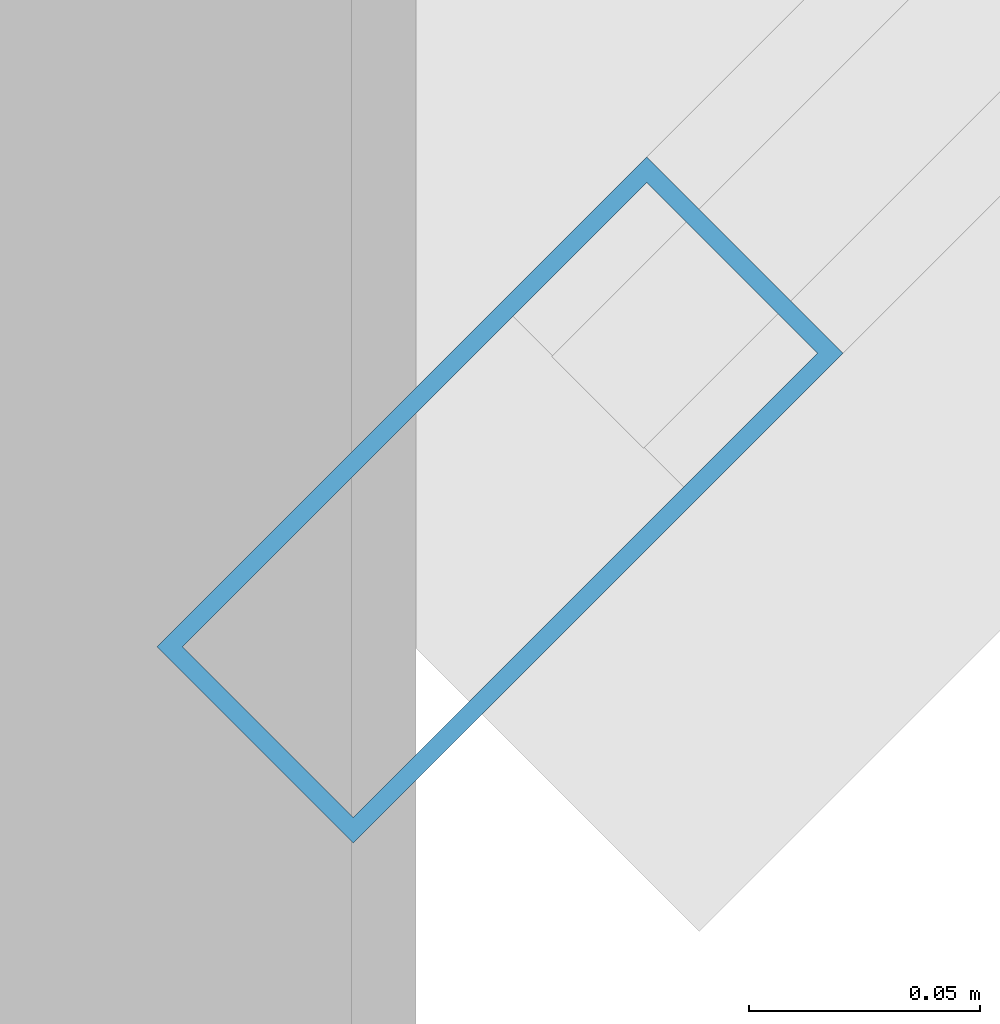
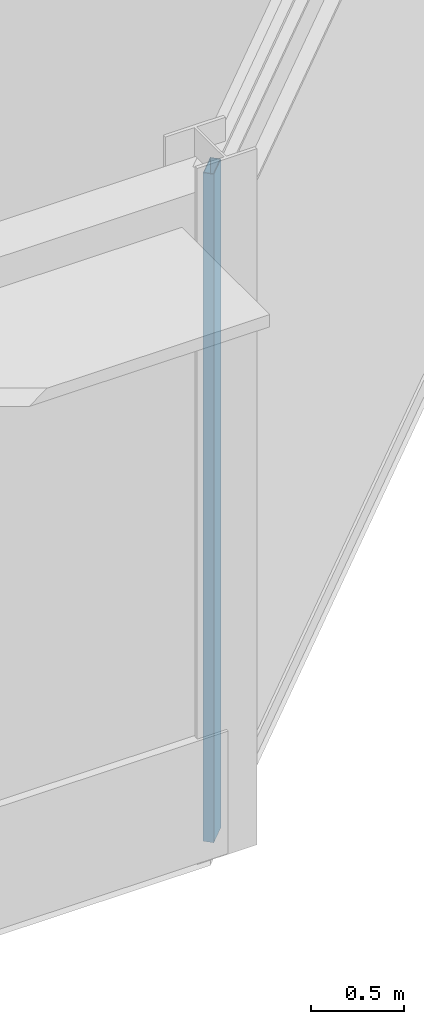
# One storey, part 46 of 133: 1 member, 1 element without a shape of its own.
"""IFC4 building model written with IfcOpenShell, lengths in metres."""

import ifcopenshell
import ifcopenshell.guid

model = None  # the IFC model being written
_history = None  # IfcOwnerHistory: only IFC2X3 demands one
_inside = {}  # id of a spatial element -> (the spatial element, [elements in it])
_under = {}  # id of a project, library or spatial element -> (it, [spatial elements below it])
_declared = {}  # id of a project -> (the project, [libraries it declares])
_typed = {}  # id of a type object -> (the type object, [elements of that type])
_made_of = {}  # id of a material, layer set ... -> (it, [elements and type objects made of it])


def new_model(schema):
    """Start an empty IFC model of exactly this schema.

    Asked for "IFC4X3", IfcOpenShell would pick the latest addendum, in which some entities
    have other attributes; the version numbers below select the first issue.
    IFC2X3 requires an IfcOwnerHistory on every rooted entity: one is made here for all.
    """
    global model, _history
    if schema == "IFC4X3":
        model = ifcopenshell.file(schema_version=(4, 3, 0, 0))
    else:
        model = ifcopenshell.file(schema=schema)
    _inside.clear()
    _under.clear()
    _declared.clear()
    _typed.clear()
    _made_of.clear()
    _history = None
    if model.schema == "IFC2X3":
        org = make("IfcOrganization", Name="unknown")
        user = make(
            "IfcPersonAndOrganization",
            ThePerson=make("IfcPerson", FamilyName="unknown"),
            TheOrganization=org,
        )
        app = make(
            "IfcApplication",
            ApplicationDeveloper=org,
            Version="unknown",
            ApplicationFullName="unknown",
            ApplicationIdentifier="unknown",
        )
        _history = make(
            "IfcOwnerHistory",
            OwningUser=user,
            OwningApplication=app,
            ChangeAction="ADDED",
            CreationDate=0,
        )
    return model


def make(cls, **values):
    """One entity of the class cls with the attributes given. An attribute that is None is left unset."""
    return model.create_entity(
        cls, **{name: value for name, value in values.items() if value is not None}
    )


def rooted(cls, **values):
    """An entity with a GlobalId (a new one), such as an element, a storey or a relation."""
    return make(cls, GlobalId=ifcopenshell.guid.new(), OwnerHistory=_history, **values)


def si_unit(unit_type, name, prefix=None):
    """IfcSIUnit, for example si_unit("LENGTHUNIT", "METRE", prefix="MILLI")."""
    return make("IfcSIUnit", UnitType=unit_type, Prefix=prefix, Name=name)


def assignment(units):
    """IfcUnitAssignment: the units of a project."""
    return None if units is None else make("IfcUnitAssignment", Units=units)


def point(xyz):
    """IfcCartesianPoint."""
    return None if xyz is None else make("IfcCartesianPoint", Coordinates=xyz)


def direction(xyz):
    """IfcDirection."""
    return None if xyz is None else make("IfcDirection", DirectionRatios=xyz)


def frame(location, z_axis=None, x_axis=None):
    """IfcAxis2Placement3D, a coordinate frame: its origin and axes. An axis left out is left unset."""
    return make(
        "IfcAxis2Placement3D",
        Location=point(location),
        Axis=direction(z_axis),
        RefDirection=direction(x_axis),
    )


def frame_2d(location, x_axis=None):
    """IfcAxis2Placement2D, a coordinate frame in the plane: its origin and x axis."""
    return make(
        "IfcAxis2Placement2D", Location=point(location), RefDirection=direction(x_axis)
    )


def origin():
    """The frame at (0, 0, 0) with its axes left unset."""
    return frame((0.0, 0.0, 0.0))


def origin_2d():
    """The frame at (0, 0) in the plane with its x axis left unset."""
    return frame_2d((0.0, 0.0))


def place(relative_to, where):
    """IfcLocalPlacement: puts the frame where relative to a parent placement (None: the world)."""
    return make(
        "IfcLocalPlacement", PlacementRelTo=relative_to, RelativePlacement=where
    )


def context(
    kind, dimensions, precision=None, world=None, true_north=None, identifier=None
):
    """IfcGeometricRepresentationContext, for example the 3D "Model" context."""
    return make(
        "IfcGeometricRepresentationContext",
        ContextIdentifier=identifier,
        ContextType=kind,
        CoordinateSpaceDimension=dimensions,
        Precision=precision,
        WorldCoordinateSystem=world,
        TrueNorth=true_north,
    )


def subcontext(parent, identifier, kind, view, scale=None):
    """IfcGeometricRepresentationSubContext, for example "Body" below "Model"."""
    return make(
        "IfcGeometricRepresentationSubContext",
        ContextIdentifier=identifier,
        ContextType=kind,
        ParentContext=parent,
        TargetScale=scale,
        TargetView=view,
    )


def project(units=None, contexts=None):
    """IfcProject with its units and contexts."""
    return rooted(
        "IfcProject",
        Name="project",
        RepresentationContexts=contexts,
        UnitsInContext=assignment(units),
    )


def spatial(cls, under=None, at=None, **own):
    """A site, building, storey or space (cls), placed at a placement, below another one or the project."""
    s = rooted(cls, ObjectPlacement=at, **own)
    if under is not None:
        _under.setdefault(under.id(), (under, []))[1].append(s)
    return s


def profile(cls, at=None, kind="AREA", **sizes):
    """A parametric profile (cls). Its sizes go by their IFC names, for example OverallWidth=200.0."""
    return make(cls, ProfileType=kind, Position=at, **sizes)


def hollow_rectangle(**sizes):
    """IfcRectangleHollowProfileDef."""
    return profile("IfcRectangleHollowProfileDef", **sizes)


def extrude(swept, where, along, depth):
    """IfcExtrudedAreaSolid: the profile swept, set in the frame where, extruded along a direction by depth."""
    return make(
        "IfcExtrudedAreaSolid",
        SweptArea=swept,
        Position=where,
        ExtrudedDirection=direction(along),
        Depth=depth,
    )


def shape(context_of_items, identifier, shape_type, items):
    """IfcShapeRepresentation: the items that make up one representation, for example the "Body"."""
    return make(
        "IfcShapeRepresentation",
        ContextOfItems=context_of_items,
        RepresentationIdentifier=identifier,
        RepresentationType=shape_type,
        Items=items,
    )


def material(Name=None, Category=None):
    """IfcMaterial."""
    return make("IfcMaterial", Name=Name, Category=Category)


def material_profile(
    of_material, cross_section, Name=None, Category=None, Priority=None
):
    """IfcMaterialProfile: a cross section and its material."""
    return make(
        "IfcMaterialProfile",
        Name=Name,
        Material=of_material,
        Profile=cross_section,
        Priority=Priority,
        Category=Category,
    )


def profile_set(profiles, Name=None, composite=None):
    """IfcMaterialProfileSet."""
    return make(
        "IfcMaterialProfileSet",
        Name=Name,
        MaterialProfiles=profiles,
        CompositeProfile=composite,
    )


def made_of(thing, what):
    """Note that an element or type object is made of a material, layer set ...; save() writes the relation."""
    if what is not None:
        _made_of.setdefault(what.id(), (what, []))[1].append(thing)
    return thing


def type_object(cls, material=None, **own):
    """A type object (cls), such as IfcWallType, which elements share."""
    return made_of(rooted(cls, **own), material)


def element(
    cls,
    number,
    at=None,
    inside=None,
    cuts=None,
    type_object=None,
    material=None,
    context=None,
    identifier="Body",
    shape_type=None,
    held_by="IfcProductDefinitionShape",
    body=None,
    shapes=None,
    **own,
):
    """One element of the class cls, such as IfcWall. Its Tag is "e" and its number.

    at: its placement. inside: the storey or other place that contains it. cuts: it is an
    opening in that element (IfcRelVoidsElement). A single representation is given by context,
    identifier, shape_type and body (its items); several are given by shapes. held_by: the class
    of the entity that holds the representations. save() writes the other relations.
    """
    e = rooted(cls, Tag="e%d" % number, ObjectPlacement=at, **own)
    if body is not None:
        shapes = [shape(context, identifier, shape_type, body)]
    if shapes is not None:
        e.Representation = make(held_by, Representations=shapes)
    if inside is not None:
        _inside.setdefault(inside.id(), (inside, []))[1].append(e)
    if cuts is not None:
        rooted(
            "IfcRelVoidsElement", RelatingBuildingElement=cuts, RelatedOpeningElement=e
        )
    if type_object is not None:
        _typed.setdefault(type_object.id(), (type_object, []))[1].append(e)
    return made_of(e, material)


def aggregate(whole, parts):
    """IfcRelAggregates: a whole, such as a stair, and the parts it consists of."""
    return rooted("IfcRelAggregates", RelatingObject=whole, RelatedObjects=parts)


def save(model, path):
    """Write the relations noted so far, then the file.

    IfcRelAggregates (storeys below a building ...), IfcRelContainedInSpatialStructure (elements
    in a storey), IfcRelDefinesByType, IfcRelAssociatesMaterial and IfcRelDeclares: one each for
    every whole, place, type object, material and project.
    """
    for whole, parts in _under.values():
        aggregate(whole, parts)
    for where, things in _inside.values():
        rooted(
            "IfcRelContainedInSpatialStructure",
            RelatedElements=things,
            RelatingStructure=where,
        )
    for kind, things in _typed.values():
        rooted("IfcRelDefinesByType", RelatedObjects=things, RelatingType=kind)
    for what, things in _made_of.values():
        rooted("IfcRelAssociatesMaterial", RelatedObjects=things, RelatingMaterial=what)
    for by, libraries in _declared.values():
        rooted("IfcRelDeclares", RelatingContext=by, RelatedDefinitions=libraries)
    model.write(path)


model = new_model("IFC4")

# Units and contexts
model_context = context("Model", 3, precision=1e-05, world=origin(), true_north=direction((0.0, 1.0)))
body_context = subcontext(model_context, "Body", "Model", "MODEL_VIEW")
ifc_project = project(units=[si_unit("LENGTHUNIT", "METRE"), si_unit("AREAUNIT", "SQUARE_METRE"), si_unit("VOLUMEUNIT", "CUBIC_METRE"), si_unit("PLANEANGLEUNIT", "RADIAN"), si_unit("MASSUNIT", "GRAM", prefix="KILO")], contexts=[model_context])

# Site, building, storey
site_placement = place(None, origin())
site = spatial("IfcSite", under=ifc_project, at=site_placement, CompositionType="ELEMENT")
building_placement = place(site_placement, origin())
building = spatial("IfcBuilding", under=site, at=building_placement, Name="Almandine Court Research Institute", CompositionType="ELEMENT")
storey_placement = place(building_placement, frame((0.0, 0.0, 9.800048828125)))
storey = spatial("IfcBuildingStorey", under=building, at=storey_placement, Name="L02", CompositionType="ELEMENT", Elevation=9.800048828125)

# Curtain wall, member
ifc_material_1 = material(Name="Unitised Curtain Wall Framing and Solar Glazing", Category="glass")
curtain_wall_type = type_object("IfcCurtainWallType", Name="CW-CWG-05", PredefinedType="USERDEFINED", material=ifc_material_1)
curtain_wall_placement = place(storey_placement, origin())
curtain_wall = element("IfcCurtainWall", 1, at=curtain_wall_placement, inside=storey, type_object=curtain_wall_type, Name="L02 Cleanroom SE Chamfer Glazing", ObjectType="UNITISED GLAZING", PredefinedType="USERDEFINED")
ifc_material_2 = material(Name="Anodised Aluminium AW-6063-T6", Category="aluminium")
ifc_material_profile = material_profile(ifc_material_2, hollow_rectangle(XDim=0.06005859375, YDim=0.14990234375, WallThickness=0.00390625, at=origin_2d()), Name="ALU RHS 60x150x4")
ifc_profile_set = profile_set([ifc_material_profile], Name="Anodised Aluminium AW-6063-T6")
member_type = type_object("IfcMemberType", Name="CWMul-60x150", PredefinedType="MULLION", material=ifc_profile_set)
member_placement = place(storey_placement, frame((30.025146484375, 84.025146484375, 0.0), z_axis=(0.0, 0.0, 1.0), x_axis=(0.707106781187, -0.707106781187, 0.0)))
member = element("IfcMember", 2, at=member_placement, type_object=member_type, Name="CWG-05 mullion 2", PredefinedType="MULLION", context=body_context, shape_type="SweptSolid", body=[
    extrude(hollow_rectangle(XDim=0.06005859375, YDim=0.14990234375, WallThickness=0.00390625, at=origin_2d()), origin(), (0.0, 0.0, 1.0), 4.369873046875),
])
aggregate(curtain_wall, [member])

save(model, "model.ifc")
